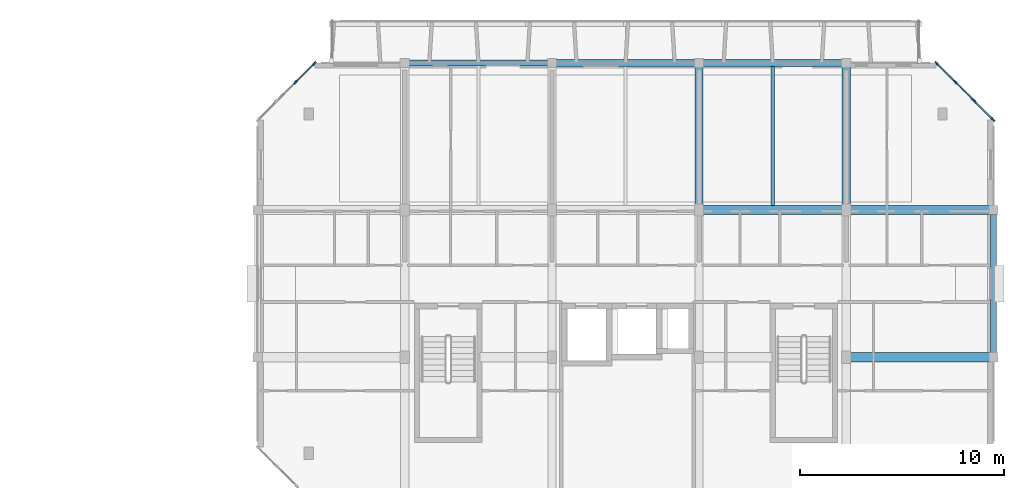
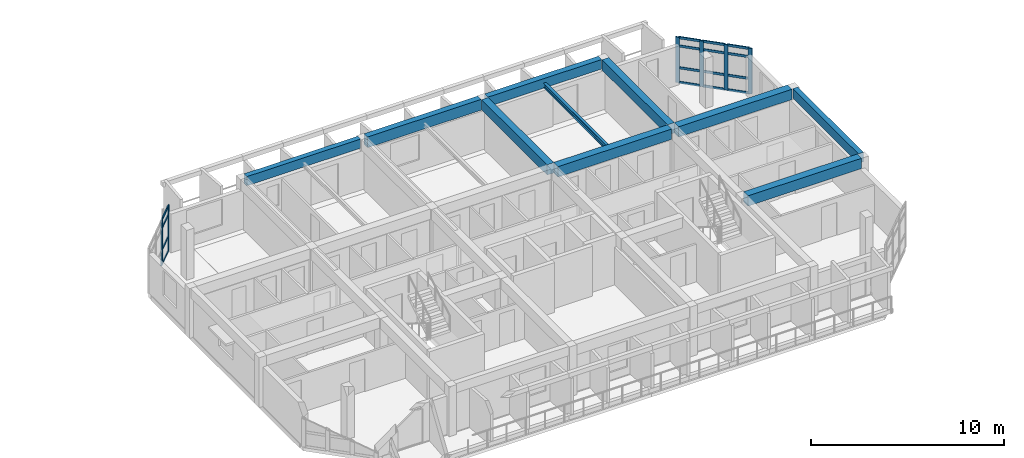
# One storey, part 8 of 31: 22 members, 10 beams, 2 elements without a shape of their own.
"""IFC4 building model written with IfcOpenShell, lengths in metres."""

import ifcopenshell
import ifcopenshell.guid

model = None  # the IFC model being written
_history = None  # IfcOwnerHistory: only IFC2X3 demands one
_inside = {}  # id of a spatial element -> (the spatial element, [elements in it])
_under = {}  # id of a project, library or spatial element -> (it, [spatial elements below it])
_declared = {}  # id of a project -> (the project, [libraries it declares])
_typed = {}  # id of a type object -> (the type object, [elements of that type])
_made_of = {}  # id of a material, layer set ... -> (it, [elements and type objects made of it])


def new_model(schema):
    """Start an empty IFC model of exactly this schema.

    Asked for "IFC4X3", IfcOpenShell would pick the latest addendum, in which some entities
    have other attributes; the version numbers below select the first issue.
    IFC2X3 requires an IfcOwnerHistory on every rooted entity: one is made here for all.
    """
    global model, _history
    if schema == "IFC4X3":
        model = ifcopenshell.file(schema_version=(4, 3, 0, 0))
    else:
        model = ifcopenshell.file(schema=schema)
    _inside.clear()
    _under.clear()
    _declared.clear()
    _typed.clear()
    _made_of.clear()
    _history = None
    if model.schema == "IFC2X3":
        org = make("IfcOrganization", Name="unknown")
        user = make(
            "IfcPersonAndOrganization",
            ThePerson=make("IfcPerson", FamilyName="unknown"),
            TheOrganization=org,
        )
        app = make(
            "IfcApplication",
            ApplicationDeveloper=org,
            Version="unknown",
            ApplicationFullName="unknown",
            ApplicationIdentifier="unknown",
        )
        _history = make(
            "IfcOwnerHistory",
            OwningUser=user,
            OwningApplication=app,
            ChangeAction="ADDED",
            CreationDate=0,
        )
    return model


def make(cls, **values):
    """One entity of the class cls with the attributes given. An attribute that is None is left unset."""
    return model.create_entity(
        cls, **{name: value for name, value in values.items() if value is not None}
    )


def rooted(cls, **values):
    """An entity with a GlobalId (a new one), such as an element, a storey or a relation."""
    return make(cls, GlobalId=ifcopenshell.guid.new(), OwnerHistory=_history, **values)


def si_unit(unit_type, name, prefix=None):
    """IfcSIUnit, for example si_unit("LENGTHUNIT", "METRE", prefix="MILLI")."""
    return make("IfcSIUnit", UnitType=unit_type, Prefix=prefix, Name=name)


def assignment(units):
    """IfcUnitAssignment: the units of a project."""
    return None if units is None else make("IfcUnitAssignment", Units=units)


def point(xyz):
    """IfcCartesianPoint."""
    return None if xyz is None else make("IfcCartesianPoint", Coordinates=xyz)


def direction(xyz):
    """IfcDirection."""
    return None if xyz is None else make("IfcDirection", DirectionRatios=xyz)


def frame(location, z_axis=None, x_axis=None):
    """IfcAxis2Placement3D, a coordinate frame: its origin and axes. An axis left out is left unset."""
    return make(
        "IfcAxis2Placement3D",
        Location=point(location),
        Axis=direction(z_axis),
        RefDirection=direction(x_axis),
    )


def frame_2d(location, x_axis=None):
    """IfcAxis2Placement2D, a coordinate frame in the plane: its origin and x axis."""
    return make(
        "IfcAxis2Placement2D", Location=point(location), RefDirection=direction(x_axis)
    )


def origin():
    """The frame at (0, 0, 0) with its axes left unset."""
    return frame((0.0, 0.0, 0.0))


def origin_2d():
    """The frame at (0, 0) in the plane with its x axis left unset."""
    return frame_2d((0.0, 0.0))


def place(relative_to, where):
    """IfcLocalPlacement: puts the frame where relative to a parent placement (None: the world)."""
    return make(
        "IfcLocalPlacement", PlacementRelTo=relative_to, RelativePlacement=where
    )


def context(
    kind, dimensions, precision=None, world=None, true_north=None, identifier=None
):
    """IfcGeometricRepresentationContext, for example the 3D "Model" context."""
    return make(
        "IfcGeometricRepresentationContext",
        ContextIdentifier=identifier,
        ContextType=kind,
        CoordinateSpaceDimension=dimensions,
        Precision=precision,
        WorldCoordinateSystem=world,
        TrueNorth=true_north,
    )


def subcontext(parent, identifier, kind, view, scale=None):
    """IfcGeometricRepresentationSubContext, for example "Body" below "Model"."""
    return make(
        "IfcGeometricRepresentationSubContext",
        ContextIdentifier=identifier,
        ContextType=kind,
        ParentContext=parent,
        TargetScale=scale,
        TargetView=view,
    )


def project(units=None, contexts=None):
    """IfcProject with its units and contexts."""
    return rooted(
        "IfcProject",
        Name="project",
        RepresentationContexts=contexts,
        UnitsInContext=assignment(units),
    )


def spatial(cls, under=None, at=None, **own):
    """A site, building, storey or space (cls), placed at a placement, below another one or the project."""
    s = rooted(cls, ObjectPlacement=at, **own)
    if under is not None:
        _under.setdefault(under.id(), (under, []))[1].append(s)
    return s


def profile(cls, at=None, kind="AREA", **sizes):
    """A parametric profile (cls). Its sizes go by their IFC names, for example OverallWidth=200.0."""
    return make(cls, ProfileType=kind, Position=at, **sizes)


def rectangle(**sizes):
    """IfcRectangleProfileDef."""
    return profile("IfcRectangleProfileDef", **sizes)


def i_section(**sizes):
    """IfcIShapeProfileDef."""
    return profile("IfcIShapeProfileDef", **sizes)


def extrude(swept, where, along, depth):
    """IfcExtrudedAreaSolid: the profile swept, set in the frame where, extruded along a direction by depth."""
    return make(
        "IfcExtrudedAreaSolid",
        SweptArea=swept,
        Position=where,
        ExtrudedDirection=direction(along),
        Depth=depth,
    )


def shape(context_of_items, identifier, shape_type, items):
    """IfcShapeRepresentation: the items that make up one representation, for example the "Body"."""
    return make(
        "IfcShapeRepresentation",
        ContextOfItems=context_of_items,
        RepresentationIdentifier=identifier,
        RepresentationType=shape_type,
        Items=items,
    )


def material(Name=None, Category=None):
    """IfcMaterial."""
    return make("IfcMaterial", Name=Name, Category=Category)


def layer(
    of_material, thickness, ventilated=None, Name=None, Category=None, Priority=None
):
    """IfcMaterialLayer: one layer of a wall or slab, of a material (None: an air gap)."""
    return make(
        "IfcMaterialLayer",
        Material=of_material,
        LayerThickness=thickness,
        IsVentilated=ventilated,
        Name=Name,
        Category=Category,
        Priority=Priority,
    )


def layer_set(layers, Name=None):
    """IfcMaterialLayerSet."""
    return make("IfcMaterialLayerSet", MaterialLayers=layers, LayerSetName=Name)


def material_profile(
    of_material, cross_section, Name=None, Category=None, Priority=None
):
    """IfcMaterialProfile: a cross section and its material."""
    return make(
        "IfcMaterialProfile",
        Name=Name,
        Material=of_material,
        Profile=cross_section,
        Priority=Priority,
        Category=Category,
    )


def profile_set(profiles, Name=None, composite=None):
    """IfcMaterialProfileSet."""
    return make(
        "IfcMaterialProfileSet",
        Name=Name,
        MaterialProfiles=profiles,
        CompositeProfile=composite,
    )


def made_of(thing, what):
    """Note that an element or type object is made of a material, layer set ...; save() writes the relation."""
    if what is not None:
        _made_of.setdefault(what.id(), (what, []))[1].append(thing)
    return thing


def type_object(cls, material=None, **own):
    """A type object (cls), such as IfcWallType, which elements share."""
    return made_of(rooted(cls, **own), material)


def element(
    cls,
    number,
    at=None,
    inside=None,
    cuts=None,
    type_object=None,
    material=None,
    context=None,
    identifier="Body",
    shape_type=None,
    held_by="IfcProductDefinitionShape",
    body=None,
    shapes=None,
    **own,
):
    """One element of the class cls, such as IfcWall. Its Tag is "e" and its number.

    at: its placement. inside: the storey or other place that contains it. cuts: it is an
    opening in that element (IfcRelVoidsElement). A single representation is given by context,
    identifier, shape_type and body (its items); several are given by shapes. held_by: the class
    of the entity that holds the representations. save() writes the other relations.
    """
    e = rooted(cls, Tag="e%d" % number, ObjectPlacement=at, **own)
    if body is not None:
        shapes = [shape(context, identifier, shape_type, body)]
    if shapes is not None:
        e.Representation = make(held_by, Representations=shapes)
    if inside is not None:
        _inside.setdefault(inside.id(), (inside, []))[1].append(e)
    if cuts is not None:
        rooted(
            "IfcRelVoidsElement", RelatingBuildingElement=cuts, RelatedOpeningElement=e
        )
    if type_object is not None:
        _typed.setdefault(type_object.id(), (type_object, []))[1].append(e)
    return made_of(e, material)


def aggregate(whole, parts):
    """IfcRelAggregates: a whole, such as a stair, and the parts it consists of."""
    return rooted("IfcRelAggregates", RelatingObject=whole, RelatedObjects=parts)


def save(model, path):
    """Write the relations noted so far, then the file.

    IfcRelAggregates (storeys below a building ...), IfcRelContainedInSpatialStructure (elements
    in a storey), IfcRelDefinesByType, IfcRelAssociatesMaterial and IfcRelDeclares: one each for
    every whole, place, type object, material and project.
    """
    for whole, parts in _under.values():
        aggregate(whole, parts)
    for where, things in _inside.values():
        rooted(
            "IfcRelContainedInSpatialStructure",
            RelatedElements=things,
            RelatingStructure=where,
        )
    for kind, things in _typed.values():
        rooted("IfcRelDefinesByType", RelatedObjects=things, RelatingType=kind)
    for what, things in _made_of.values():
        rooted("IfcRelAssociatesMaterial", RelatedObjects=things, RelatingMaterial=what)
    for by, libraries in _declared.values():
        rooted("IfcRelDeclares", RelatingContext=by, RelatedDefinitions=libraries)
    model.write(path)


model = new_model("IFC4")

# Units and contexts
model_context = context("Model", 3, precision=1e-05, world=origin(), true_north=direction((0.0, 1.0)))
body_context = subcontext(model_context, "Body", "Model", "MODEL_VIEW")
ifc_project = project(units=[si_unit("LENGTHUNIT", "METRE"), si_unit("AREAUNIT", "SQUARE_METRE"), si_unit("VOLUMEUNIT", "CUBIC_METRE"), si_unit("PLANEANGLEUNIT", "RADIAN"), si_unit("MASSUNIT", "GRAM", prefix="KILO")], contexts=[model_context])

# Site, building, storey
site_placement = place(None, origin())
site = spatial("IfcSite", under=ifc_project, at=site_placement, CompositionType="ELEMENT")
building_placement = place(site_placement, origin())
building = spatial("IfcBuilding", under=site, at=building_placement, Name="Ochrevale Crest", CompositionType="ELEMENT")
storey_placement = place(building_placement, frame((0.0, 0.0, 37.050048828125)))
storey = spatial("IfcBuildingStorey", under=building, at=storey_placement, Name="L11", CompositionType="ELEMENT", Elevation=37.050048828125)

# Beams
ifc_material_1 = material(Name="Precast concrete C50/60", Category="concrete")
ifc_material_profile_1 = material_profile(ifc_material_1, rectangle(XDim=0.39990234375, YDim=0.64990234375, at=origin_2d()), Name="PC 400x650")
ifc_profile_set_1 = profile_set([ifc_material_profile_1], Name="Precast concrete C50/60")
beam_type_1 = type_object("IfcBeamType", Name="BM-PC400x650", PredefinedType="BEAM", material=ifc_profile_set_1)
for number, where, z_axis, x_axis, name in (
    (1, (151.199951171875, 86.60498046875, 2.824951171875), (0.0, 1.0, 0.0), (-1.0, 0.0, 0.0), "Block D L11 N-S beam X=151.2"),
    (2, (158.39990234375, 86.60498046875, 2.824951171875), (0.0, 1.0, 0.0), (-1.0, 0.0, 0.0), "Block D L11 N-S beam X=158.4"),
):
    element("IfcBeam", number, at=place(storey_placement, frame(where, z_axis=z_axis, x_axis=x_axis)), inside=storey, type_object=beam_type_1, Name=name, PredefinedType="BEAM", context=body_context, shape_type="SweptSolid", body=[
        extrude(rectangle(XDim=0.39990234375, YDim=0.64990234375, at=origin_2d()), origin(), (0.0, 0.0, 1.0), 6.7900390625),
    ])
ifc_material_2 = material(Name="Concrete C50/60", Category="concrete")
ifc_material_profile_2 = material_profile(ifc_material_2, rectangle(XDim=0.449951171875, YDim=0.64990234375, at=origin_2d()), Name="RC 450x650")
ifc_profile_set_2 = profile_set([ifc_material_profile_2], Name="Concrete C50/60")
beam_type_2 = type_object("IfcBeamType", Name="BM-PG450x650", PredefinedType="USERDEFINED", material=ifc_profile_set_2)
beam_1_placement = place(storey_placement, frame((158.60009765625, 79.199951171875, 2.824951171875), z_axis=(1.0, 0.0, 0.0), x_axis=(0.0, 1.0, 0.0)))
element("IfcBeam", 3, at=beam_1_placement, inside=storey, type_object=beam_type_2, Name="Block D L11 E-W beam Y=79.2", ObjectType="GIRDER", PredefinedType="USERDEFINED", context=body_context, shape_type="SweptSolid", body=[
    extrude(rectangle(XDim=0.449951171875, YDim=0.64990234375, at=origin_2d()), origin(), (0.0, 0.0, 1.0), 6.7998046875),
])
beam_2_placement = place(storey_placement, frame((151.39990234375, 86.39990234375, 2.824951171875), z_axis=(1.0, 0.0, 0.0), x_axis=(0.0, 1.0, 0.0)))
element("IfcBeam", 4, at=beam_2_placement, inside=storey, type_object=beam_type_2, Name="Block D L11 E-W beam Y=86.4", ObjectType="GIRDER", PredefinedType="USERDEFINED", context=body_context, shape_type="SweptSolid", body=[
    extrude(rectangle(XDim=0.449951171875, YDim=0.64990234375, at=origin_2d()), origin(), (0.0, 0.0, 1.0), 6.800048828125),
])
beam_3_placement = place(storey_placement, frame((158.60009765625, 86.39990234375, 2.824951171875), z_axis=(1.0, 0.0, 0.0), x_axis=(0.0, 1.0, 0.0)))
element("IfcBeam", 5, at=beam_3_placement, inside=storey, type_object=beam_type_2, Name="Block D L11 E-W beam Y=86.4", ObjectType="GIRDER", PredefinedType="USERDEFINED", context=body_context, shape_type="SweptSolid", body=[
    extrude(rectangle(XDim=0.449951171875, YDim=0.64990234375, at=origin_2d()), origin(), (0.0, 0.0, 1.0), 6.7998046875),
])
ifc_material_3 = material(Name="Precast concrete C40/50", Category="concrete")
ifc_material_profile_3 = material_profile(ifc_material_3, rectangle(XDim=0.300048828125, YDim=0.580078125, at=origin_2d()), Name="PC 300x580")
ifc_profile_set_3 = profile_set([ifc_material_profile_3], Name="Precast concrete C40/50")
beam_type_3 = type_object("IfcBeamType", Name="BM-SP300x580", PredefinedType="SPANDREL", material=ifc_profile_set_3)
beam_4_placement = place(storey_placement, frame((137.0, 93.60009765625, 2.85986328125), z_axis=(1.0, 0.0, 0.0), x_axis=(0.0, 1.0, 0.0)))
element("IfcBeam", 6, at=beam_4_placement, inside=storey, type_object=beam_type_3, Name="Block D L11 E-W beam Y=93.6", PredefinedType="SPANDREL", context=body_context, shape_type="SweptSolid", body=[
    extrude(rectangle(XDim=0.300048828125, YDim=0.580078125, at=origin_2d()), origin(), (0.0, 0.0, 1.0), 6.800048828125),
])
ifc_material_profile_4 = material_profile(ifc_material_3, rectangle(XDim=0.300048828125, YDim=0.60009765625, at=origin_2d()), Name="PC 300x600")
ifc_profile_set_4 = profile_set([ifc_material_profile_4], Name="Precast concrete C40/50")
beam_type_4 = type_object("IfcBeamType", Name="BM-SP300x600", PredefinedType="SPANDREL", material=ifc_profile_set_4)
beam_5_placement = place(storey_placement, frame((165.60009765625, 79.405029296875, 2.849853515625), z_axis=(0.0, 1.0, 0.0), x_axis=(-1.0, 0.0, 0.0)))
element("IfcBeam", 7, at=beam_5_placement, inside=storey, type_object=beam_type_4, Name="Block D L11 N-S beam X=165.6", PredefinedType="SPANDREL", context=body_context, shape_type="SweptSolid", body=[
    extrude(rectangle(XDim=0.300048828125, YDim=0.60009765625, at=origin_2d()), origin(), (0.0, 0.0, 1.0), 6.7900390625),
])
ifc_material_profile_5 = material_profile(ifc_material_3, rectangle(XDim=0.35009765625, YDim=0.60009765625, at=origin_2d()), Name="PC 350x600")
ifc_profile_set_5 = profile_set([ifc_material_profile_5], Name="Precast concrete C40/50")
beam_type_5 = type_object("IfcBeamType", Name="BM-SP350x600", PredefinedType="SPANDREL", material=ifc_profile_set_5)
beam_6_placement = place(storey_placement, frame((151.39990234375, 93.60009765625, 2.849853515625), z_axis=(1.0, 0.0, 0.0), x_axis=(0.0, 1.0, 0.0)))
element("IfcBeam", 8, at=beam_6_placement, inside=storey, type_object=beam_type_5, Name="Block D L11 E-W beam Y=93.6", PredefinedType="SPANDREL", context=body_context, shape_type="SweptSolid", body=[
    extrude(rectangle(XDim=0.35009765625, YDim=0.60009765625, at=origin_2d()), origin(), (0.0, 0.0, 1.0), 6.800048828125),
])
ifc_material_profile_6 = material_profile(ifc_material_3, rectangle(XDim=0.35009765625, YDim=0.679931640625, at=origin_2d()), Name="PC 350x680")
ifc_profile_set_6 = profile_set([ifc_material_profile_6], Name="Precast concrete C40/50")
beam_type_6 = type_object("IfcBeamType", Name="BM-SP350x680", PredefinedType="SPANDREL", material=ifc_profile_set_6)
beam_7_placement = place(storey_placement, frame((144.199951171875, 93.60009765625, 2.81005859375), z_axis=(1.0, 0.0, 0.0), x_axis=(0.0, 1.0, 0.0)))
element("IfcBeam", 9, at=beam_7_placement, inside=storey, type_object=beam_type_6, Name="Block D L11 E-W beam Y=93.6", PredefinedType="SPANDREL", context=body_context, shape_type="SweptSolid", body=[
    extrude(rectangle(XDim=0.35009765625, YDim=0.679931640625, at=origin_2d()), origin(), (0.0, 0.0, 1.0), 6.800048828125),
])
ifc_material_4 = material(Name="Steel S355", Category="steel")
ifc_material_profile_7 = material_profile(ifc_material_4, i_section(OverallWidth=0.1650390625, OverallDepth=0.3037109375, WebThickness=0.006103515625, FlangeThickness=0.01025390625, FilletRadius=0.011474609375, at=origin_2d()), Name="310UB40.4")
ifc_profile_set_7 = profile_set([ifc_material_profile_7], Name="Steel S355")
beam_type_7 = type_object("IfcBeamType", Name="BM-UB310A", PredefinedType="BEAM", material=ifc_profile_set_7)
beam_8_placement = place(storey_placement, frame((154.800048828125, 86.613037109375, 2.72314453125), z_axis=(0.0, 1.0, 0.0), x_axis=(-1.0, 0.0, 0.0)))
element("IfcBeam", 10, at=beam_8_placement, inside=storey, type_object=beam_type_7, Name="Block D L11 composite plank trimmer beam 4", PredefinedType="BEAM", context=body_context, shape_type="SweptSolid", body=[
    extrude(i_section(OverallWidth=0.1650390625, OverallDepth=0.3037109375, WebThickness=0.006103515625, FlangeThickness=0.01025390625, FilletRadius=0.011474609375, at=origin_2d()), origin(), (0.0, 0.0, 1.0), 6.823974609375),
])

# Curtain wall, members
ifc_material_5 = material(Name="Anodised aluminium 6063-T5", Category="aluminium")
ifc_layer_1 = layer(ifc_material_5, 0.14990234375)
ifc_layer_set_1 = layer_set([ifc_layer_1], Name="Anodised aluminium 6063-T5")
curtain_wall_type_1 = type_object("IfcCurtainWallType", Name="CW-WG-240x285", PredefinedType="NOTDEFINED", material=ifc_layer_set_1)
curtain_wall_1_placement = place(storey_placement, origin())
curtain_wall_1 = element("IfcCurtainWall", 11, at=curtain_wall_1_placement, inside=storey, type_object=curtain_wall_type_1, Name="Block D L11 chamfered corner wintergarden curtain wall 4", PredefinedType="NOTDEFINED")
ifc_material_profile_8 = material_profile(ifc_material_5, rectangle(XDim=0.074951171875, YDim=0.219970703125, at=origin_2d()), Name="ALU 75x220")
ifc_profile_set_8 = profile_set([ifc_material_profile_8], Name="Anodised aluminium 6063-T5")
member_type_1 = type_object("IfcMemberType", Name="CW-MUL-75x220", PredefinedType="MULLION", material=ifc_profile_set_8)
member_1_placement = place(storey_placement, frame((165.573486328125, 90.826416015625, 0.0), z_axis=(0.0, 0.0, 1.0), x_axis=(-0.707106781187, -0.707106781187, 0.0)))
member_1 = element("IfcMember", 12, at=member_1_placement, type_object=member_type_1, Name="CW15 mullion 1", PredefinedType="MULLION", context=body_context, shape_type="SweptSolid", body=[
    extrude(rectangle(XDim=0.074951171875, YDim=0.219970703125, at=origin_2d()), origin(), (0.0, 0.0, 1.0), 2.875),
])
member_2_placement = place(storey_placement, frame((164.666748046875, 91.7333984375, 0.0), z_axis=(0.0, 0.0, 1.0), x_axis=(-0.707106781187, -0.707106781187, 0.0)))
member_2 = element("IfcMember", 13, at=member_2_placement, type_object=member_type_1, Name="CW15 mullion 2", PredefinedType="MULLION", context=body_context, shape_type="SweptSolid", body=[
    extrude(rectangle(XDim=0.074951171875, YDim=0.219970703125, at=origin_2d()), origin(), (0.0, 0.0, 1.0), 2.875),
])
member_3_placement = place(storey_placement, frame((163.7333984375, 92.666748046875, 0.0), z_axis=(0.0, 0.0, 1.0), x_axis=(-0.707106781187, -0.707106781187, 0.0)))
member_3 = element("IfcMember", 14, at=member_3_placement, type_object=member_type_1, Name="CW15 mullion 3", PredefinedType="MULLION", context=body_context, shape_type="SweptSolid", body=[
    extrude(rectangle(XDim=0.074951171875, YDim=0.219970703125, at=origin_2d()), origin(), (0.0, 0.0, 1.0), 2.875),
])
member_4_placement = place(storey_placement, frame((162.826416015625, 93.573486328125, 0.0), z_axis=(0.0, 0.0, 1.0), x_axis=(-0.707106781187, -0.707106781187, 0.0)))
member_4 = element("IfcMember", 15, at=member_4_placement, type_object=member_type_1, Name="CW15 mullion 4", PredefinedType="MULLION", context=body_context, shape_type="SweptSolid", body=[
    extrude(rectangle(XDim=0.074951171875, YDim=0.219970703125, at=origin_2d()), origin(), (0.0, 0.0, 1.0), 2.875),
])

ifc_layer_2 = layer(ifc_material_5, 0.14990234375)
ifc_layer_set_2 = layer_set([ifc_layer_2], Name="Anodised aluminium 6063-T5")
curtain_wall_type_2 = type_object("IfcCurtainWallType", Name="CW-WG-320x285", PredefinedType="NOTDEFINED", material=ifc_layer_set_2)
curtain_wall_2_placement = place(storey_placement, origin())
curtain_wall_2 = element("IfcCurtainWall", 16, at=curtain_wall_2_placement, inside=storey, type_object=curtain_wall_type_2, Name="Block D L11 chamfered corner wintergarden curtain wall 6", PredefinedType="NOTDEFINED")
member_5_placement = place(storey_placement, frame((132.37353515625, 93.573486328125, 0.0), z_axis=(0.0, 0.0, 1.0), x_axis=(0.707106781187, -0.707106781187, 0.0)))
member_5 = element("IfcMember", 17, at=member_5_placement, type_object=member_type_1, Name="CW17 mullion 1", PredefinedType="MULLION", context=body_context, shape_type="SweptSolid", body=[
    extrude(rectangle(XDim=0.074951171875, YDim=0.219970703125, at=origin_2d()), origin(), (0.0, 0.0, 1.0), 2.875),
])
member_6_placement = place(storey_placement, frame((131.466552734375, 92.666748046875, 0.0), z_axis=(0.0, 0.0, 1.0), x_axis=(0.707106781187, -0.707106781187, 0.0)))
member_6 = element("IfcMember", 18, at=member_6_placement, type_object=member_type_1, Name="CW17 mullion 2", PredefinedType="MULLION", context=body_context, shape_type="SweptSolid", body=[
    extrude(rectangle(XDim=0.074951171875, YDim=0.219970703125, at=origin_2d()), origin(), (0.0, 0.0, 1.0), 2.875),
])

# Member
ifc_material_profile_9 = material_profile(ifc_material_5, rectangle(XDim=0.06005859375, YDim=0.14990234375, at=origin_2d()), Name="ALU 60x150")
ifc_profile_set_9 = profile_set([ifc_material_profile_9], Name="Anodised aluminium 6063-T5")
member_type_2 = type_object("IfcMemberType", Name="CW-TRN-60x150", PredefinedType="USERDEFINED", material=ifc_profile_set_9)
member_7_placement = place(storey_placement, frame((165.546875, 90.85302734375, 0.030029296875), z_axis=(-0.707106781187, 0.707106781187, 0.0), x_axis=(-0.707106781187, -0.707106781187, 0.0)))
member_7 = element("IfcMember", 19, at=member_7_placement, type_object=member_type_2, Name="CW15 transom 1.1", ObjectType="TRANSOM", PredefinedType="USERDEFINED", context=body_context, shape_type="SweptSolid", body=[
    extrude(rectangle(XDim=0.06005859375, YDim=0.14990234375, at=origin_2d()), origin(), (0.0, 0.0, 1.0), 1.20751953125),
])

member_8_placement = place(storey_placement, frame((165.546875, 90.85302734375, 0.949951171875), z_axis=(-0.707106781187, 0.707106781187, 0.0), x_axis=(-0.707106781187, -0.707106781187, 0.0)))
member_8 = element("IfcMember", 20, at=member_8_placement, type_object=member_type_2, Name="CW15 transom 1.2", ObjectType="TRANSOM", PredefinedType="USERDEFINED", context=body_context, shape_type="SweptSolid", body=[
    extrude(rectangle(XDim=0.06005859375, YDim=0.14990234375, at=origin_2d()), origin(), (0.0, 0.0, 1.0), 1.20751953125),
])

member_9_placement = place(storey_placement, frame((165.546875, 90.85302734375, 2.324951171875), z_axis=(-0.707106781187, 0.707106781187, 0.0), x_axis=(-0.707106781187, -0.707106781187, 0.0)))
member_9 = element("IfcMember", 21, at=member_9_placement, type_object=member_type_2, Name="CW15 transom 1.3", ObjectType="TRANSOM", PredefinedType="USERDEFINED", context=body_context, shape_type="SweptSolid", body=[
    extrude(rectangle(XDim=0.06005859375, YDim=0.14990234375, at=origin_2d()), origin(), (0.0, 0.0, 1.0), 1.20751953125),
])

member_10_placement = place(storey_placement, frame((165.546875, 90.85302734375, 2.844970703125), z_axis=(-0.707106781187, 0.707106781187, 0.0), x_axis=(-0.707106781187, -0.707106781187, 0.0)))
member_10 = element("IfcMember", 22, at=member_10_placement, type_object=member_type_2, Name="CW15 transom 1.4", ObjectType="TRANSOM", PredefinedType="USERDEFINED", context=body_context, shape_type="SweptSolid", body=[
    extrude(rectangle(XDim=0.06005859375, YDim=0.14990234375, at=origin_2d()), origin(), (0.0, 0.0, 1.0), 1.20751953125),
])

member_11_placement = place(storey_placement, frame((164.64013671875, 91.759765625, 0.030029296875), z_axis=(-0.707106781187, 0.707106781187, 0.0), x_axis=(-0.707106781187, -0.707106781187, 0.0)))
member_11 = element("IfcMember", 23, at=member_11_placement, type_object=member_type_2, Name="CW15 transom 2.1", ObjectType="TRANSOM", PredefinedType="USERDEFINED", context=body_context, shape_type="SweptSolid", body=[
    extrude(rectangle(XDim=0.06005859375, YDim=0.14990234375, at=origin_2d()), origin(), (0.0, 0.0, 1.0), 1.2451171875),
])

member_12_placement = place(storey_placement, frame((164.64013671875, 91.759765625, 0.949951171875), z_axis=(-0.707106781187, 0.707106781187, 0.0), x_axis=(-0.707106781187, -0.707106781187, 0.0)))
member_12 = element("IfcMember", 24, at=member_12_placement, type_object=member_type_2, Name="CW15 transom 2.2", ObjectType="TRANSOM", PredefinedType="USERDEFINED", context=body_context, shape_type="SweptSolid", body=[
    extrude(rectangle(XDim=0.06005859375, YDim=0.14990234375, at=origin_2d()), origin(), (0.0, 0.0, 1.0), 1.2451171875),
])

member_13_placement = place(storey_placement, frame((164.64013671875, 91.759765625, 2.324951171875), z_axis=(-0.707106781187, 0.707106781187, 0.0), x_axis=(-0.707106781187, -0.707106781187, 0.0)))
member_13 = element("IfcMember", 25, at=member_13_placement, type_object=member_type_2, Name="CW15 transom 2.3", ObjectType="TRANSOM", PredefinedType="USERDEFINED", context=body_context, shape_type="SweptSolid", body=[
    extrude(rectangle(XDim=0.06005859375, YDim=0.14990234375, at=origin_2d()), origin(), (0.0, 0.0, 1.0), 1.2451171875),
])

member_14_placement = place(storey_placement, frame((164.64013671875, 91.759765625, 2.844970703125), z_axis=(-0.707106781187, 0.707106781187, 0.0), x_axis=(-0.707106781187, -0.707106781187, 0.0)))
member_14 = element("IfcMember", 26, at=member_14_placement, type_object=member_type_2, Name="CW15 transom 2.4", ObjectType="TRANSOM", PredefinedType="USERDEFINED", context=body_context, shape_type="SweptSolid", body=[
    extrude(rectangle(XDim=0.06005859375, YDim=0.14990234375, at=origin_2d()), origin(), (0.0, 0.0, 1.0), 1.2451171875),
])

member_15_placement = place(storey_placement, frame((163.706787109375, 92.693115234375, 0.030029296875), z_axis=(-0.707106781187, 0.707106781187, 0.0), x_axis=(-0.707106781187, -0.707106781187, 0.0)))
member_15 = element("IfcMember", 27, at=member_15_placement, type_object=member_type_2, Name="CW15 transom 3.1", ObjectType="TRANSOM", PredefinedType="USERDEFINED", context=body_context, shape_type="SweptSolid", body=[
    extrude(rectangle(XDim=0.06005859375, YDim=0.14990234375, at=origin_2d()), origin(), (0.0, 0.0, 1.0), 1.20751953125),
])

member_16_placement = place(storey_placement, frame((163.706787109375, 92.693115234375, 0.949951171875), z_axis=(-0.707106781187, 0.707106781187, 0.0), x_axis=(-0.707106781187, -0.707106781187, 0.0)))
member_16 = element("IfcMember", 28, at=member_16_placement, type_object=member_type_2, Name="CW15 transom 3.2", ObjectType="TRANSOM", PredefinedType="USERDEFINED", context=body_context, shape_type="SweptSolid", body=[
    extrude(rectangle(XDim=0.06005859375, YDim=0.14990234375, at=origin_2d()), origin(), (0.0, 0.0, 1.0), 1.20751953125),
])

member_17_placement = place(storey_placement, frame((163.706787109375, 92.693115234375, 2.324951171875), z_axis=(-0.707106781187, 0.707106781187, 0.0), x_axis=(-0.707106781187, -0.707106781187, 0.0)))
member_17 = element("IfcMember", 29, at=member_17_placement, type_object=member_type_2, Name="CW15 transom 3.3", ObjectType="TRANSOM", PredefinedType="USERDEFINED", context=body_context, shape_type="SweptSolid", body=[
    extrude(rectangle(XDim=0.06005859375, YDim=0.14990234375, at=origin_2d()), origin(), (0.0, 0.0, 1.0), 1.20751953125),
])

member_18_placement = place(storey_placement, frame((163.706787109375, 92.693115234375, 2.844970703125), z_axis=(-0.707106781187, 0.707106781187, 0.0), x_axis=(-0.707106781187, -0.707106781187, 0.0)))
member_18 = element("IfcMember", 30, at=member_18_placement, type_object=member_type_2, Name="CW15 transom 3.4", ObjectType="TRANSOM", PredefinedType="USERDEFINED", context=body_context, shape_type="SweptSolid", body=[
    extrude(rectangle(XDim=0.06005859375, YDim=0.14990234375, at=origin_2d()), origin(), (0.0, 0.0, 1.0), 1.20751953125),
])

aggregate(curtain_wall_1, [member_1, member_2, member_3, member_4, member_7, member_8, member_9, member_10, member_11, member_12, member_13, member_14, member_15, member_16, member_17, member_18])

member_19_placement = place(storey_placement, frame((132.346923828125, 93.546875, 0.030029296875), z_axis=(-0.707106781187, -0.707106781187, 0.0), x_axis=(0.707106781187, -0.707106781187, 0.0)))
member_19 = element("IfcMember", 31, at=member_19_placement, type_object=member_type_2, Name="CW17 transom 1.1", ObjectType="TRANSOM", PredefinedType="USERDEFINED", context=body_context, shape_type="SweptSolid", body=[
    extrude(rectangle(XDim=0.06005859375, YDim=0.14990234375, at=origin_2d()), origin(), (0.0, 0.0, 1.0), 1.20751953125),
])

member_20_placement = place(storey_placement, frame((132.346923828125, 93.546875, 0.949951171875), z_axis=(-0.707106781187, -0.707106781187, 0.0), x_axis=(0.707106781187, -0.707106781187, 0.0)))
member_20 = element("IfcMember", 32, at=member_20_placement, type_object=member_type_2, Name="CW17 transom 1.2", ObjectType="TRANSOM", PredefinedType="USERDEFINED", context=body_context, shape_type="SweptSolid", body=[
    extrude(rectangle(XDim=0.06005859375, YDim=0.14990234375, at=origin_2d()), origin(), (0.0, 0.0, 1.0), 1.20751953125),
])

member_21_placement = place(storey_placement, frame((132.346923828125, 93.546875, 2.324951171875), z_axis=(-0.707106781187, -0.707106781187, 0.0), x_axis=(0.707106781187, -0.707106781187, 0.0)))
member_21 = element("IfcMember", 33, at=member_21_placement, type_object=member_type_2, Name="CW17 transom 1.3", ObjectType="TRANSOM", PredefinedType="USERDEFINED", context=body_context, shape_type="SweptSolid", body=[
    extrude(rectangle(XDim=0.06005859375, YDim=0.14990234375, at=origin_2d()), origin(), (0.0, 0.0, 1.0), 1.20751953125),
])

member_22_placement = place(storey_placement, frame((132.346923828125, 93.546875, 2.844970703125), z_axis=(-0.707106781187, -0.707106781187, 0.0), x_axis=(0.707106781187, -0.707106781187, 0.0)))
member_22 = element("IfcMember", 34, at=member_22_placement, type_object=member_type_2, Name="CW17 transom 1.4", ObjectType="TRANSOM", PredefinedType="USERDEFINED", context=body_context, shape_type="SweptSolid", body=[
    extrude(rectangle(XDim=0.06005859375, YDim=0.14990234375, at=origin_2d()), origin(), (0.0, 0.0, 1.0), 1.20751953125),
])

aggregate(curtain_wall_2, [member_5, member_6, member_19, member_20, member_21, member_22])

save(model, "model.ifc")
